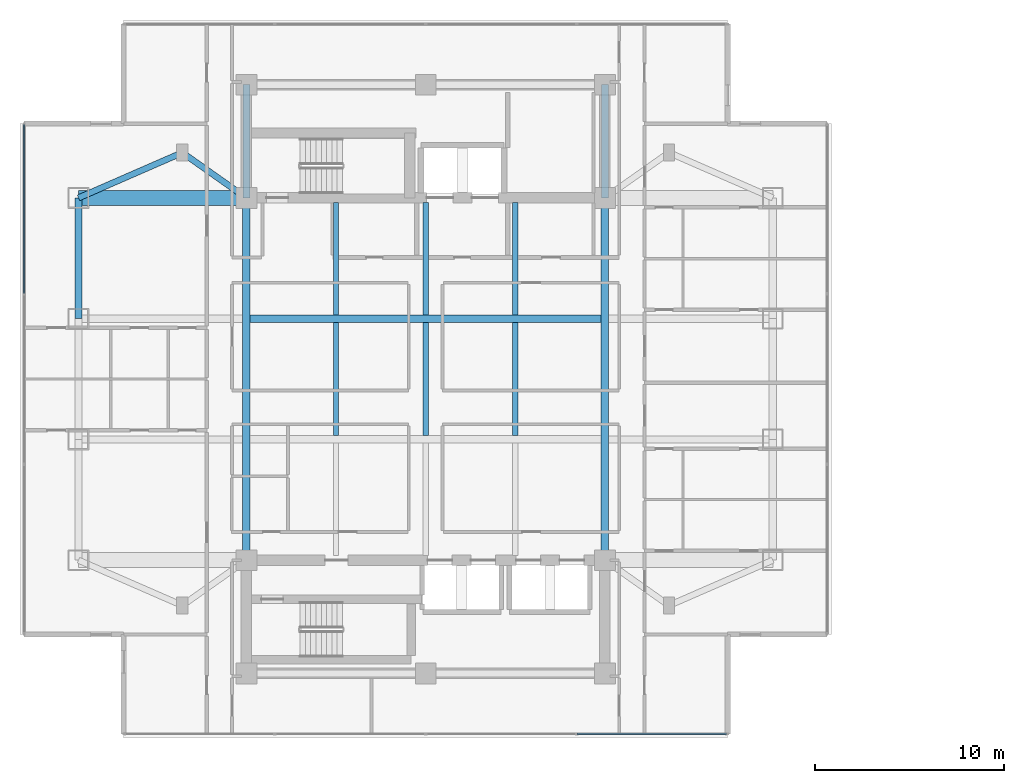
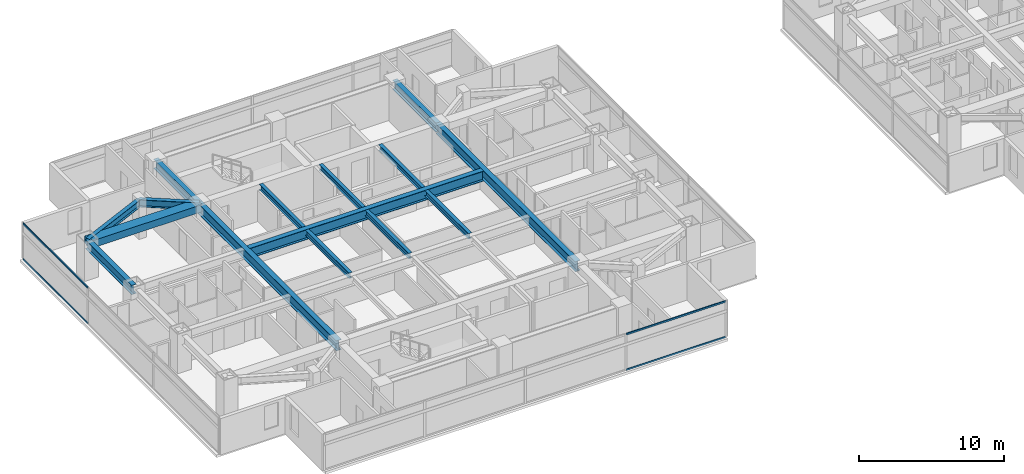
# One storey, part 3 of 24: 15 beams, 4 members, 2 elements without a shape of their own.
"""IFC4 building model written with IfcOpenShell, lengths in metres."""

from ifc_helpers import new_model, si_unit, direction, frame, origin, origin_2d, place, context, subcontext, project, spatial, rectangle, i_section, extrude, material, material_profile, profile_set, type_object, element, aggregate, save


model = new_model("IFC4")

# Units and contexts
model_context = context("Model", 3, precision=1e-05, world=origin(), true_north=direction((0.0, 1.0)))
body_context = subcontext(model_context, "Body", "Model", "MODEL_VIEW")
ifc_project = project(units=[si_unit("LENGTHUNIT", "METRE"), si_unit("AREAUNIT", "SQUARE_METRE"), si_unit("VOLUMEUNIT", "CUBIC_METRE"), si_unit("PLANEANGLEUNIT", "RADIAN"), si_unit("MASSUNIT", "GRAM", prefix="KILO")], contexts=[model_context])

# Site, building, storey
site_placement = place(None, origin())
site = spatial("IfcSite", under=ifc_project, at=site_placement, CompositionType="ELEMENT")
building_placement = place(site_placement, origin())
building = spatial("IfcBuilding", under=site, at=building_placement, Name="Mirazonda Arch Towers", CompositionType="ELEMENT")
storey_placement = place(building_placement, frame((0.0, 0.0, 134.60009765625)))
storey = spatial("IfcBuildingStorey", under=building, at=storey_placement, Name="L38", CompositionType="ELEMENT", Elevation=134.60009765625)

# Beams
ifc_material_1 = material(Name="Steel ASTM A992 Grade 50", Category="steel")
ifc_material_profile_1 = material_profile(ifc_material_1, i_section(OverallWidth=0.381103515625, OverallDepth=0.77294921875, WebThickness=0.0166015625, FlangeThickness=0.027099609375, at=origin_2d()), Name="W30X173")
ifc_profile_set_1 = profile_set([ifc_material_profile_1], Name="Steel ASTM A992 Grade 50")
beam_type_1 = type_object("IfcBeamType", Name="BM-EXT-W30X173", PredefinedType="USERDEFINED", material=ifc_profile_set_1)
beam_1_placement = place(storey_placement, frame((2.10009765625, 31.199951171875, 2.693359375), z_axis=(0.0, 1.0, 0.0), x_axis=(-1.0, 0.0, 0.0)))
element("IfcBeam", 1, at=beam_1_placement, inside=storey, type_object=beam_type_1, Name="L38 Floor Beam BM-T1-L38-NS-W-31", ObjectType="GIRDER", PredefinedType="USERDEFINED", context=body_context, shape_type="SweptSolid", body=[
    extrude(i_section(OverallWidth=0.381103515625, OverallDepth=0.77294921875, WebThickness=0.0166015625, FlangeThickness=0.027099609375, at=origin_2d()), origin(), (0.0, 0.0, 1.0), 6.400146484375),
])
ifc_material_profile_2 = material_profile(ifc_material_1, i_section(OverallWidth=0.280029296875, OverallDepth=0.462890625, WebThickness=0.0107421875, FlangeThickness=0.017333984375, at=origin_2d()), Name="W18X76")
ifc_profile_set_2 = profile_set([ifc_material_profile_2], Name="Steel ASTM A992 Grade 50")
beam_type_2 = type_object("IfcBeamType", Name="BM-INT-W18X76", PredefinedType="JOIST", material=ifc_profile_set_2)
beam_2_placement = place(storey_placement, frame((15.75, 31.39599609375, 2.848388671875), z_axis=(0.0, 1.0, 0.0), x_axis=(-1.0, 0.0, 0.0)))
element("IfcBeam", 2, at=beam_2_placement, inside=storey, type_object=beam_type_2, Name="L38 Floor Beam BM-T1-L38-J-157-31", PredefinedType="JOIST", context=body_context, shape_type="SweptSolid", body=[
    extrude(i_section(OverallWidth=0.280029296875, OverallDepth=0.462890625, WebThickness=0.0107421875, FlangeThickness=0.017333984375, at=origin_2d()), origin(), (0.0, 0.0, 1.0), 5.964111328125),
])
beam_3_placement = place(storey_placement, frame((15.75, 24.99609375, 2.848388671875), z_axis=(0.0, 1.0, 0.0), x_axis=(-1.0, 0.0, 0.0)))
element("IfcBeam", 3, at=beam_3_placement, inside=storey, type_object=beam_type_2, Name="L38 Floor Beam BM-T1-L38-J-157-24", PredefinedType="JOIST", context=body_context, shape_type="SweptSolid", body=[
    extrude(i_section(OverallWidth=0.280029296875, OverallDepth=0.462890625, WebThickness=0.0107421875, FlangeThickness=0.017333984375, at=origin_2d()), origin(), (0.0, 0.0, 1.0), 6.0078125),
])
beam_4_placement = place(storey_placement, frame((20.5, 31.39599609375, 2.848388671875), z_axis=(0.0, 1.0, 0.0), x_axis=(-1.0, 0.0, 0.0)))
element("IfcBeam", 4, at=beam_4_placement, inside=storey, type_object=beam_type_2, Name="L38 Floor Beam BM-T1-L38-J-205-31", PredefinedType="JOIST", context=body_context, shape_type="SweptSolid", body=[
    extrude(i_section(OverallWidth=0.280029296875, OverallDepth=0.462890625, WebThickness=0.0107421875, FlangeThickness=0.017333984375, at=origin_2d()), origin(), (0.0, 0.0, 1.0), 5.964111328125),
])
beam_5_placement = place(storey_placement, frame((20.5, 24.99609375, 2.848388671875), z_axis=(0.0, 1.0, 0.0), x_axis=(-1.0, 0.0, 0.0)))
element("IfcBeam", 5, at=beam_5_placement, inside=storey, type_object=beam_type_2, Name="L38 Floor Beam BM-T1-L38-J-205-24", PredefinedType="JOIST", context=body_context, shape_type="SweptSolid", body=[
    extrude(i_section(OverallWidth=0.280029296875, OverallDepth=0.462890625, WebThickness=0.0107421875, FlangeThickness=0.017333984375, at=origin_2d()), origin(), (0.0, 0.0, 1.0), 6.0078125),
])
beam_6_placement = place(storey_placement, frame((25.25, 31.39599609375, 2.848388671875), z_axis=(0.0, 1.0, 0.0), x_axis=(-1.0, 0.0, 0.0)))
element("IfcBeam", 6, at=beam_6_placement, inside=storey, type_object=beam_type_2, Name="L38 Floor Beam BM-T1-L38-J-252-31", PredefinedType="JOIST", context=body_context, shape_type="SweptSolid", body=[
    extrude(i_section(OverallWidth=0.280029296875, OverallDepth=0.462890625, WebThickness=0.0107421875, FlangeThickness=0.017333984375, at=origin_2d()), origin(), (0.0, 0.0, 1.0), 5.964111328125),
])
beam_7_placement = place(storey_placement, frame((25.25, 24.99609375, 2.848388671875), z_axis=(0.0, 1.0, 0.0), x_axis=(-1.0, 0.0, 0.0)))
element("IfcBeam", 7, at=beam_7_placement, inside=storey, type_object=beam_type_2, Name="L38 Floor Beam BM-T1-L38-J-252-24", PredefinedType="JOIST", context=body_context, shape_type="SweptSolid", body=[
    extrude(i_section(OverallWidth=0.280029296875, OverallDepth=0.462890625, WebThickness=0.0107421875, FlangeThickness=0.017333984375, at=origin_2d()), origin(), (0.0, 0.0, 1.0), 6.0078125),
])
ifc_material_profile_3 = material_profile(ifc_material_1, i_section(OverallWidth=0.324951171875, OverallDepth=0.615966796875, WebThickness=0.013916015625, FlangeThickness=0.021484375, at=origin_2d()), Name="W24X117")
ifc_profile_set_3 = profile_set([ifc_material_profile_3], Name="Steel ASTM A992 Grade 50")
beam_type_3 = type_object("IfcBeamType", Name="BM-INT-W24X117", PredefinedType="BEAM", material=ifc_profile_set_3)
beam_8_placement = place(storey_placement, frame((7.60009765625, 40.0, 2.77197265625), z_axis=(0.816971114901, -0.576678591087, 0.0), x_axis=(0.576678591087, 0.816971114901, 0.0)))
element("IfcBeam", 8, at=beam_8_placement, inside=storey, type_object=beam_type_3, Name="L38 Floor Beam BM-T1-L38-PL-NW1", PredefinedType="BEAM", context=body_context, shape_type="SweptSolid", body=[
    extrude(i_section(OverallWidth=0.324951171875, OverallDepth=0.615966796875, WebThickness=0.013916015625, FlangeThickness=0.021484375, at=origin_2d()), origin(), (0.0, 0.0, 1.0), 4.16162109375),
])
beam_9_placement = place(storey_placement, frame((7.60009765625, 40.0, 2.77197265625), z_axis=(-0.916545343703, -0.399930785183, 0.0), x_axis=(0.399930785183, -0.916545343703, 0.0)))
element("IfcBeam", 9, at=beam_9_placement, inside=storey, type_object=beam_type_3, Name="L38 Floor Beam BM-T1-L38-PL-NW2", PredefinedType="BEAM", context=body_context, shape_type="SweptSolid", body=[
    extrude(i_section(OverallWidth=0.324951171875, OverallDepth=0.615966796875, WebThickness=0.013916015625, FlangeThickness=0.021484375, at=origin_2d()), origin(), (0.0, 0.0, 1.0), 6.000732421875),
])
ifc_material_profile_4 = material_profile(ifc_material_1, i_section(OverallWidth=0.381103515625, OverallDepth=0.77294921875, WebThickness=0.0166015625, FlangeThickness=0.027099609375, at=origin_2d()), Name="W30X173")
ifc_profile_set_4 = profile_set([ifc_material_profile_4], Name="Steel ASTM A992 Grade 50")
beam_type_4 = type_object("IfcBeamType", Name="BM-INT-W30X173", PredefinedType="USERDEFINED", material=ifc_profile_set_4)
for number, where, z_axis, x_axis, name in (
    (10, (11.0, 37.60009765625, 2.693359375), (0.0, 1.0, 0.0), (-1.0, 0.0, 0.0), "L38 Floor Beam BM-T1-L38-CNW"),
    (11, (30.0, 37.60009765625, 2.693359375), (0.0, 1.0, 0.0), (-1.0, 0.0, 0.0), "L38 Floor Beam BM-T1-L38-CNE"),
):
    element("IfcBeam", number, at=place(storey_placement, frame(where, z_axis=z_axis, x_axis=x_axis)), inside=storey, type_object=beam_type_4, Name=name, ObjectType="GIRDER", PredefinedType="USERDEFINED", context=body_context, shape_type="SweptSolid", body=[
        extrude(i_section(OverallWidth=0.381103515625, OverallDepth=0.77294921875, WebThickness=0.0166015625, FlangeThickness=0.027099609375, at=origin_2d()), origin(), (0.0, 0.0, 1.0), 6.0),
    ])
ifc_material_profile_5 = material_profile(ifc_material_1, i_section(OverallWidth=0.39990234375, OverallDepth=0.85595703125, WebThickness=0.018310546875, FlangeThickness=0.029296875, at=origin_2d()), Name="W33X201")
ifc_profile_set_5 = profile_set([ifc_material_profile_5], Name="Steel ASTM A992 Grade 50")
beam_type_5 = type_object("IfcBeamType", Name="BM-INT-W33X201", PredefinedType="USERDEFINED", material=ifc_profile_set_5)
beam_10_placement = place(storey_placement, frame((11.199951171875, 31.199951171875, 2.65185546875), z_axis=(1.0, 0.0, 0.0), x_axis=(0.0, 1.0, 0.0)))
element("IfcBeam", 12, at=beam_10_placement, inside=storey, type_object=beam_type_5, Name="L38 Floor Beam BM-T1-L38-GC3", ObjectType="GIRDER", PredefinedType="USERDEFINED", context=body_context, shape_type="SweptSolid", body=[
    extrude(i_section(OverallWidth=0.39990234375, OverallDepth=0.85595703125, WebThickness=0.018310546875, FlangeThickness=0.029296875, at=origin_2d()), origin(), (0.0, 0.0, 1.0), 18.60009765625),
])
for number, where, z_axis, x_axis, name in (
    (13, (11.0, 18.39990234375, 2.65185546875), (0.0, 1.0, 0.0), (-1.0, 0.0, 0.0), "L38 Floor Beam BM-T1-L38-NS-CW-FULL"),
    (14, (30.0, 18.39990234375, 2.65185546875), (0.0, 1.0, 0.0), (-1.0, 0.0, 0.0), "L38 Floor Beam BM-T1-L38-NS-CE-FULL"),
):
    element("IfcBeam", number, at=place(storey_placement, frame(where, z_axis=z_axis, x_axis=x_axis)), inside=storey, type_object=beam_type_5, Name=name, ObjectType="GIRDER", PredefinedType="USERDEFINED", context=body_context, shape_type="SweptSolid", body=[
        extrude(i_section(OverallWidth=0.39990234375, OverallDepth=0.85595703125, WebThickness=0.018310546875, FlangeThickness=0.029296875, at=origin_2d()), origin(), (0.0, 0.0, 1.0), 19.2001953125),
    ])
ifc_material_2 = material(Name="Concrete C60/75", Category="concrete")
ifc_material_profile_6 = material_profile(ifc_material_2, rectangle(XDim=0.800048828125, YDim=0.60009765625, at=origin_2d()), Name="RCCB800x600")
ifc_profile_set_6 = profile_set([ifc_material_profile_6], Name="Concrete C60/75")
beam_type_6 = type_object("IfcBeamType", Name="CB-INT-RCCB800x600", PredefinedType="SPANDREL", material=ifc_profile_set_6)
beam_11_placement = place(storey_placement, frame((2.10009765625, 37.60009765625, 2.77978515625), z_axis=(1.0, 0.0, 0.0), x_axis=(0.0, 1.0, 0.0)))
element("IfcBeam", 15, at=beam_11_placement, inside=storey, type_object=beam_type_6, Name="L38 Floor Beam CBC-T1-L38-NW", PredefinedType="SPANDREL", context=body_context, shape_type="SweptSolid", body=[
    extrude(rectangle(XDim=0.800048828125, YDim=0.60009765625, at=origin_2d()), origin(), (0.0, 0.0, 1.0), 8.89990234375),
])

# Curtain wall, members
ifc_material_3 = material(Name="Anodised Aluminium and Low-E Glass", Category="aluminium")
curtain_wall_type = type_object("IfcCurtainWallType", Name="CW-HTL-UNIT", PredefinedType="NOTDEFINED", material=ifc_material_3)
curtain_wall_1_placement = place(storey_placement, origin())
curtain_wall_1 = element("IfcCurtainWall", 16, at=curtain_wall_1_placement, inside=storey, type_object=curtain_wall_type, Name="L38 T1 S Facade CW-L38-T1-S", PredefinedType="NOTDEFINED")
ifc_material_4 = material(Name="Anodised Aluminium Alloy", Category="aluminium")
ifc_material_profile_7 = material_profile(ifc_material_4, rectangle(XDim=0.074951171875, YDim=0.14501953125, at=origin_2d()), Name="ALU-TRAN-75x145")
ifc_profile_set_7 = profile_set([ifc_material_profile_7], Name="Anodised Aluminium Alloy")
member_type = type_object("IfcMemberType", Name="TRAN-CW-HTL-UNIT", PredefinedType="USERDEFINED", material=ifc_profile_set_7)
member_1_placement = place(storey_placement, frame((36.43505859375, 9.18994140625, 0.037353515625), z_axis=(-1.0, 0.0, 0.0), x_axis=(0.0, -1.0, 0.0)))
member_1 = element("IfcMember", 17, at=member_1_placement, type_object=member_type, Name="CW-112 transom 1.1", ObjectType="TRANSOM", PredefinedType="USERDEFINED", context=body_context, shape_type="SweptSolid", body=[
    extrude(rectangle(XDim=0.074951171875, YDim=0.14501953125, at=origin_2d()), origin(), (0.0, 0.0, 1.0), 7.892578125),
])
member_2_placement = place(storey_placement, frame((36.43505859375, 9.18994140625, 3.0224609375), z_axis=(-1.0, 0.0, 0.0), x_axis=(0.0, -1.0, 0.0)))
member_2 = element("IfcMember", 18, at=member_2_placement, type_object=member_type, Name="CW-112 transom 1.2", ObjectType="TRANSOM", PredefinedType="USERDEFINED", context=body_context, shape_type="SweptSolid", body=[
    extrude(rectangle(XDim=0.074951171875, YDim=0.14501953125, at=origin_2d()), origin(), (0.0, 0.0, 1.0), 7.892578125),
])
aggregate(curtain_wall_1, [member_1, member_2])

curtain_wall_2_placement = place(storey_placement, origin())
curtain_wall_2 = element("IfcCurtainWall", 19, at=curtain_wall_2_placement, inside=storey, type_object=curtain_wall_type, Name="L38 T1 W Facade CW-L38-T1-W", PredefinedType="NOTDEFINED")
member_3_placement = place(storey_placement, frame((-0.780029296875, 41.465087890625, 0.037353515625), z_axis=(0.0, -1.0, 0.0), x_axis=(1.0, 0.0, 0.0)))
member_3 = element("IfcMember", 20, at=member_3_placement, type_object=member_type, Name="CW-112 transom 1.1", ObjectType="TRANSOM", PredefinedType="USERDEFINED", context=body_context, shape_type="SweptSolid", body=[
    extrude(rectangle(XDim=0.074951171875, YDim=0.14501953125, at=origin_2d()), origin(), (0.0, 0.0, 1.0), 8.914306640625),
])
member_4_placement = place(storey_placement, frame((-0.780029296875, 41.465087890625, 3.0224609375), z_axis=(0.0, -1.0, 0.0), x_axis=(1.0, 0.0, 0.0)))
member_4 = element("IfcMember", 21, at=member_4_placement, type_object=member_type, Name="CW-112 transom 1.2", ObjectType="TRANSOM", PredefinedType="USERDEFINED", context=body_context, shape_type="SweptSolid", body=[
    extrude(rectangle(XDim=0.074951171875, YDim=0.14501953125, at=origin_2d()), origin(), (0.0, 0.0, 1.0), 8.914306640625),
])
aggregate(curtain_wall_2, [member_3, member_4])

save(model, "model.ifc")
